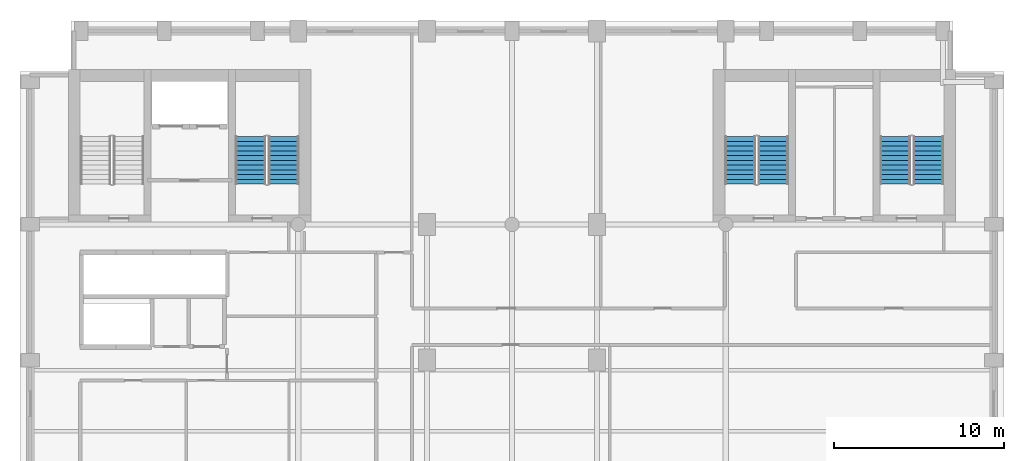
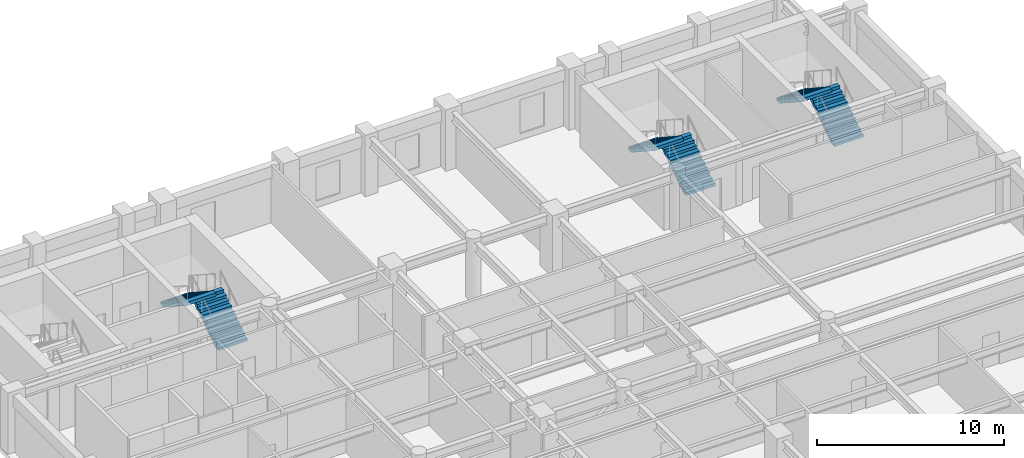
# One storey, part 10 of 13: 6 stair flights, 3 elements without a shape of their own.
"""IFC4 building model written with IfcOpenShell, lengths in metres."""

import ifcopenshell
import ifcopenshell.guid

model = None  # the IFC model being written
_history = None  # IfcOwnerHistory: only IFC2X3 demands one
_inside = {}  # id of a spatial element -> (the spatial element, [elements in it])
_under = {}  # id of a project, library or spatial element -> (it, [spatial elements below it])
_declared = {}  # id of a project -> (the project, [libraries it declares])
_typed = {}  # id of a type object -> (the type object, [elements of that type])
_made_of = {}  # id of a material, layer set ... -> (it, [elements and type objects made of it])


def new_model(schema):
    """Start an empty IFC model of exactly this schema.

    Asked for "IFC4X3", IfcOpenShell would pick the latest addendum, in which some entities
    have other attributes; the version numbers below select the first issue.
    IFC2X3 requires an IfcOwnerHistory on every rooted entity: one is made here for all.
    """
    global model, _history
    if schema == "IFC4X3":
        model = ifcopenshell.file(schema_version=(4, 3, 0, 0))
    else:
        model = ifcopenshell.file(schema=schema)
    _inside.clear()
    _under.clear()
    _declared.clear()
    _typed.clear()
    _made_of.clear()
    _history = None
    if model.schema == "IFC2X3":
        org = make("IfcOrganization", Name="unknown")
        user = make(
            "IfcPersonAndOrganization",
            ThePerson=make("IfcPerson", FamilyName="unknown"),
            TheOrganization=org,
        )
        app = make(
            "IfcApplication",
            ApplicationDeveloper=org,
            Version="unknown",
            ApplicationFullName="unknown",
            ApplicationIdentifier="unknown",
        )
        _history = make(
            "IfcOwnerHistory",
            OwningUser=user,
            OwningApplication=app,
            ChangeAction="ADDED",
            CreationDate=0,
        )
    return model


def make(cls, **values):
    """One entity of the class cls with the attributes given. An attribute that is None is left unset."""
    return model.create_entity(
        cls, **{name: value for name, value in values.items() if value is not None}
    )


def rooted(cls, **values):
    """An entity with a GlobalId (a new one), such as an element, a storey or a relation."""
    return make(cls, GlobalId=ifcopenshell.guid.new(), OwnerHistory=_history, **values)


def si_unit(unit_type, name, prefix=None):
    """IfcSIUnit, for example si_unit("LENGTHUNIT", "METRE", prefix="MILLI")."""
    return make("IfcSIUnit", UnitType=unit_type, Prefix=prefix, Name=name)


def assignment(units):
    """IfcUnitAssignment: the units of a project."""
    return None if units is None else make("IfcUnitAssignment", Units=units)


def point(xyz):
    """IfcCartesianPoint."""
    return None if xyz is None else make("IfcCartesianPoint", Coordinates=xyz)


def direction(xyz):
    """IfcDirection."""
    return None if xyz is None else make("IfcDirection", DirectionRatios=xyz)


def frame(location, z_axis=None, x_axis=None):
    """IfcAxis2Placement3D, a coordinate frame: its origin and axes. An axis left out is left unset."""
    return make(
        "IfcAxis2Placement3D",
        Location=point(location),
        Axis=direction(z_axis),
        RefDirection=direction(x_axis),
    )


def origin():
    """The frame at (0, 0, 0) with its axes left unset."""
    return frame((0.0, 0.0, 0.0))


def place(relative_to, where):
    """IfcLocalPlacement: puts the frame where relative to a parent placement (None: the world)."""
    return make(
        "IfcLocalPlacement", PlacementRelTo=relative_to, RelativePlacement=where
    )


def context(
    kind, dimensions, precision=None, world=None, true_north=None, identifier=None
):
    """IfcGeometricRepresentationContext, for example the 3D "Model" context."""
    return make(
        "IfcGeometricRepresentationContext",
        ContextIdentifier=identifier,
        ContextType=kind,
        CoordinateSpaceDimension=dimensions,
        Precision=precision,
        WorldCoordinateSystem=world,
        TrueNorth=true_north,
    )


def subcontext(parent, identifier, kind, view, scale=None):
    """IfcGeometricRepresentationSubContext, for example "Body" below "Model"."""
    return make(
        "IfcGeometricRepresentationSubContext",
        ContextIdentifier=identifier,
        ContextType=kind,
        ParentContext=parent,
        TargetScale=scale,
        TargetView=view,
    )


def project(units=None, contexts=None):
    """IfcProject with its units and contexts."""
    return rooted(
        "IfcProject",
        Name="project",
        RepresentationContexts=contexts,
        UnitsInContext=assignment(units),
    )


def spatial(cls, under=None, at=None, **own):
    """A site, building, storey or space (cls), placed at a placement, below another one or the project."""
    s = rooted(cls, ObjectPlacement=at, **own)
    if under is not None:
        _under.setdefault(under.id(), (under, []))[1].append(s)
    return s


def polyline(points):
    """IfcPolyline through the points."""
    return make("IfcPolyline", Points=[point(p) for p in points])


def outline(outer, holes=None, kind="AREA"):
    """IfcArbitraryClosedProfileDef: a profile drawn as a closed curve; with holes, ...WithVoids."""
    if holes is None:
        return make("IfcArbitraryClosedProfileDef", ProfileType=kind, OuterCurve=outer)
    return make(
        "IfcArbitraryProfileDefWithVoids",
        ProfileType=kind,
        OuterCurve=outer,
        InnerCurves=holes,
    )


def extrude(swept, where, along, depth):
    """IfcExtrudedAreaSolid: the profile swept, set in the frame where, extruded along a direction by depth."""
    return make(
        "IfcExtrudedAreaSolid",
        SweptArea=swept,
        Position=where,
        ExtrudedDirection=direction(along),
        Depth=depth,
    )


def shape(context_of_items, identifier, shape_type, items):
    """IfcShapeRepresentation: the items that make up one representation, for example the "Body"."""
    return make(
        "IfcShapeRepresentation",
        ContextOfItems=context_of_items,
        RepresentationIdentifier=identifier,
        RepresentationType=shape_type,
        Items=items,
    )


def material(Name=None, Category=None):
    """IfcMaterial."""
    return make("IfcMaterial", Name=Name, Category=Category)


def made_of(thing, what):
    """Note that an element or type object is made of a material, layer set ...; save() writes the relation."""
    if what is not None:
        _made_of.setdefault(what.id(), (what, []))[1].append(thing)
    return thing


def type_object(cls, material=None, **own):
    """A type object (cls), such as IfcWallType, which elements share."""
    return made_of(rooted(cls, **own), material)


def element(
    cls,
    number,
    at=None,
    inside=None,
    cuts=None,
    type_object=None,
    material=None,
    context=None,
    identifier="Body",
    shape_type=None,
    held_by="IfcProductDefinitionShape",
    body=None,
    shapes=None,
    **own,
):
    """One element of the class cls, such as IfcWall. Its Tag is "e" and its number.

    at: its placement. inside: the storey or other place that contains it. cuts: it is an
    opening in that element (IfcRelVoidsElement). A single representation is given by context,
    identifier, shape_type and body (its items); several are given by shapes. held_by: the class
    of the entity that holds the representations. save() writes the other relations.
    """
    e = rooted(cls, Tag="e%d" % number, ObjectPlacement=at, **own)
    if body is not None:
        shapes = [shape(context, identifier, shape_type, body)]
    if shapes is not None:
        e.Representation = make(held_by, Representations=shapes)
    if inside is not None:
        _inside.setdefault(inside.id(), (inside, []))[1].append(e)
    if cuts is not None:
        rooted(
            "IfcRelVoidsElement", RelatingBuildingElement=cuts, RelatedOpeningElement=e
        )
    if type_object is not None:
        _typed.setdefault(type_object.id(), (type_object, []))[1].append(e)
    return made_of(e, material)


def aggregate(whole, parts):
    """IfcRelAggregates: a whole, such as a stair, and the parts it consists of."""
    return rooted("IfcRelAggregates", RelatingObject=whole, RelatedObjects=parts)


def save(model, path):
    """Write the relations noted so far, then the file.

    IfcRelAggregates (storeys below a building ...), IfcRelContainedInSpatialStructure (elements
    in a storey), IfcRelDefinesByType, IfcRelAssociatesMaterial and IfcRelDeclares: one each for
    every whole, place, type object, material and project.
    """
    for whole, parts in _under.values():
        aggregate(whole, parts)
    for where, things in _inside.values():
        rooted(
            "IfcRelContainedInSpatialStructure",
            RelatedElements=things,
            RelatingStructure=where,
        )
    for kind, things in _typed.values():
        rooted("IfcRelDefinesByType", RelatedObjects=things, RelatingType=kind)
    for what, things in _made_of.values():
        rooted("IfcRelAssociatesMaterial", RelatedObjects=things, RelatingMaterial=what)
    for by, libraries in _declared.values():
        rooted("IfcRelDeclares", RelatingContext=by, RelatedDefinitions=libraries)
    model.write(path)


model = new_model("IFC4")

# Units and contexts
model_context = context("Model", 3, precision=1e-05, world=origin(), true_north=direction((0.0, 1.0)))
body_context = subcontext(model_context, "Body", "Model", "MODEL_VIEW")
ifc_project = project(units=[si_unit("LENGTHUNIT", "METRE"), si_unit("AREAUNIT", "SQUARE_METRE"), si_unit("VOLUMEUNIT", "CUBIC_METRE"), si_unit("PLANEANGLEUNIT", "RADIAN"), si_unit("MASSUNIT", "GRAM", prefix="KILO")], contexts=[model_context])

# Site, building, storey
site_placement = place(None, origin())
site = spatial("IfcSite", under=ifc_project, at=site_placement, CompositionType="ELEMENT")
building_placement = place(site_placement, origin())
building = spatial("IfcBuilding", under=site, at=building_placement, Name="Sulina Concourse Tower", CompositionType="ELEMENT")
storey_placement = place(building_placement, frame((0.0, 0.0, 202.60009765625)))
storey = spatial("IfcBuildingStorey", under=building, at=storey_placement, Name="L49", CompositionType="ELEMENT", Elevation=202.60009765625)

# Stair, stair flights
ifc_material_1 = material(Name="Concrete C50/60", Category="concrete")
stair_type_1 = type_object("IfcStairType", Name="Portal & Podium Core Exit Stair 1820mm", PredefinedType="HALF_TURN_STAIR", material=ifc_material_1)
stair_1_placement = place(storey_placement, origin())
stair_1 = element("IfcStair", 1, at=stair_1_placement, inside=storey, type_object=stair_type_1, Name="L49 ST-3", PredefinedType="HALF_TURN_STAIR")
ifc_material_2 = material(Name="Concrete C50/60", Category="concrete")
stair_flight_type_1 = type_object("IfcStairFlightType", Name="Portal & Podium Core Exit Stair 1820mm Flight", PredefinedType="STRAIGHT", material=ifc_material_2)
stair_flight_1_placement = place(storey_placement, frame((44.405029296875, 36.375, 0.0), z_axis=(0.0, 0.0, 1.0), x_axis=(0.0, 1.0, 0.0)))
stair_flight_1 = element("IfcStairFlight", 2, at=stair_flight_1_placement, type_object=stair_flight_type_1, Name="ST-3 flight 1", NumberOfRisers=11, NumberOfTreads=10, PredefinedType="STRAIGHT", RiserHeight=0.181818182, TreadLength=0.28, context=body_context, shape_type="SweptSolid", body=[
    extrude(outline(polyline([(0.0, 0.0), (0.0, 0.181884765625), (0.280029296875, 0.181884765625), (0.280029296875, 0.363525390625), (0.56005859375, 0.363525390625), (0.56005859375, 0.54541015625), (0.840087890625, 0.54541015625), (0.840087890625, 0.727294921875), (1.1201171875, 0.727294921875), (1.1201171875, 0.9091796875), (1.39990234375, 0.9091796875), (1.39990234375, 1.0908203125), (1.679931640625, 1.0908203125), (1.679931640625, 1.272705078125), (1.9599609375, 1.272705078125), (1.9599609375, 1.45458984375), (2.239990234375, 1.45458984375), (2.239990234375, 1.636474609375), (2.52001953125, 1.636474609375), (2.52001953125, 1.818115234375), (2.800048828125, 1.818115234375), (2.800048828125, 2.0), (2.800048828125, 1.603759765625), (0.330322265625, 0.0), (0.0, 0.0)])), frame((0.0, 0.89990234375, 0.0), z_axis=(0.0, -1.0, 0.0), x_axis=(1.0, 0.0, 0.0)), (0.0, 0.0, 1.0), 1.800048828125),
])
stair_flight_2_placement = place(storey_placement, frame((42.455078125, 39.175048828125, 2.0), z_axis=(0.0, 0.0, 1.0), x_axis=(0.0, -1.0, 0.0)))
stair_flight_2 = element("IfcStairFlight", 3, at=stair_flight_2_placement, type_object=stair_flight_type_1, Name="ST-3 flight 2", NumberOfRisers=11, NumberOfTreads=10, PredefinedType="STRAIGHT", RiserHeight=0.181818182, TreadLength=0.28, context=body_context, shape_type="SweptSolid", body=[
    extrude(outline(polyline([(0.0, 0.0), (0.0, 0.181884765625), (0.280029296875, 0.181884765625), (0.280029296875, 0.363525390625), (0.56005859375, 0.363525390625), (0.56005859375, 0.54541015625), (0.840087890625, 0.54541015625), (0.840087890625, 0.727294921875), (1.1201171875, 0.727294921875), (1.1201171875, 0.9091796875), (1.39990234375, 0.9091796875), (1.39990234375, 1.0908203125), (1.679931640625, 1.0908203125), (1.679931640625, 1.272705078125), (1.9599609375, 1.272705078125), (1.9599609375, 1.45458984375), (2.239990234375, 1.45458984375), (2.239990234375, 1.636474609375), (2.52001953125, 1.636474609375), (2.52001953125, 1.818115234375), (2.800048828125, 1.818115234375), (2.800048828125, 2.0), (2.800048828125, 1.603759765625), (0.330322265625, 0.0), (0.0, 0.0)])), frame((0.0, 0.89990234375, 0.0), z_axis=(0.0, -1.0, 0.0), x_axis=(1.0, 0.0, 0.0)), (0.0, 0.0, 1.0), 1.800048828125),
])
aggregate(stair_1, [stair_flight_1, stair_flight_2])

stair_2_placement = place(storey_placement, origin())
stair_2 = element("IfcStair", 4, at=stair_2_placement, inside=storey, type_object=stair_type_1, Name="L49 ST-4", PredefinedType="HALF_TURN_STAIR")
stair_flight_3_placement = place(storey_placement, frame((53.544921875, 36.375, 0.0), z_axis=(0.0, 0.0, 1.0), x_axis=(0.0, 1.0, 0.0)))
stair_flight_3 = element("IfcStairFlight", 5, at=stair_flight_3_placement, type_object=stair_flight_type_1, Name="ST-4 flight 1", NumberOfRisers=11, NumberOfTreads=10, PredefinedType="STRAIGHT", RiserHeight=0.181818182, TreadLength=0.28, context=body_context, shape_type="SweptSolid", body=[
    extrude(outline(polyline([(0.0, 0.0), (0.0, 0.181884765625), (0.280029296875, 0.181884765625), (0.280029296875, 0.363525390625), (0.56005859375, 0.363525390625), (0.56005859375, 0.54541015625), (0.840087890625, 0.54541015625), (0.840087890625, 0.727294921875), (1.1201171875, 0.727294921875), (1.1201171875, 0.9091796875), (1.39990234375, 0.9091796875), (1.39990234375, 1.0908203125), (1.679931640625, 1.0908203125), (1.679931640625, 1.272705078125), (1.9599609375, 1.272705078125), (1.9599609375, 1.45458984375), (2.239990234375, 1.45458984375), (2.239990234375, 1.636474609375), (2.52001953125, 1.636474609375), (2.52001953125, 1.818115234375), (2.800048828125, 1.818115234375), (2.800048828125, 2.0), (2.800048828125, 1.603759765625), (0.330322265625, 0.0), (0.0, 0.0)])), frame((0.0, 0.89990234375, 0.0), z_axis=(0.0, -1.0, 0.0), x_axis=(1.0, 0.0, 0.0)), (0.0, 0.0, 1.0), 1.800048828125),
])
stair_flight_4_placement = place(storey_placement, frame((51.594970703125, 39.175048828125, 2.0), z_axis=(0.0, 0.0, 1.0), x_axis=(0.0, -1.0, 0.0)))
stair_flight_4 = element("IfcStairFlight", 6, at=stair_flight_4_placement, type_object=stair_flight_type_1, Name="ST-4 flight 2", NumberOfRisers=11, NumberOfTreads=10, PredefinedType="STRAIGHT", RiserHeight=0.181818182, TreadLength=0.28, context=body_context, shape_type="SweptSolid", body=[
    extrude(outline(polyline([(0.0, 0.0), (0.0, 0.181884765625), (0.280029296875, 0.181884765625), (0.280029296875, 0.363525390625), (0.56005859375, 0.363525390625), (0.56005859375, 0.54541015625), (0.840087890625, 0.54541015625), (0.840087890625, 0.727294921875), (1.1201171875, 0.727294921875), (1.1201171875, 0.9091796875), (1.39990234375, 0.9091796875), (1.39990234375, 1.0908203125), (1.679931640625, 1.0908203125), (1.679931640625, 1.272705078125), (1.9599609375, 1.272705078125), (1.9599609375, 1.45458984375), (2.239990234375, 1.45458984375), (2.239990234375, 1.636474609375), (2.52001953125, 1.636474609375), (2.52001953125, 1.818115234375), (2.800048828125, 1.818115234375), (2.800048828125, 2.0), (2.800048828125, 1.603759765625), (0.330322265625, 0.0), (0.0, 0.0)])), frame((0.0, 0.89990234375, 0.0), z_axis=(0.0, -1.0, 0.0), x_axis=(1.0, 0.0, 0.0)), (0.0, 0.0, 1.0), 1.800048828125),
])
aggregate(stair_2, [stair_flight_3, stair_flight_4])

ifc_material_3 = material(Name="Concrete C50/60", Category="concrete")
stair_type_2 = type_object("IfcStairType", Name="Primary Core Dog-Leg Exit Stair 1800mm", PredefinedType="HALF_TURN_STAIR", material=ifc_material_3)
stair_3_placement = place(storey_placement, origin())
stair_3 = element("IfcStair", 7, at=stair_3_placement, inside=storey, type_object=stair_type_2, Name="L49 ST-2", PredefinedType="HALF_TURN_STAIR")
ifc_material_4 = material(Name="Concrete C50/60", Category="concrete")
stair_flight_type_2 = type_object("IfcStairFlightType", Name="Primary Core Dog-Leg Exit Stair 1800mm Flight", PredefinedType="STRAIGHT", material=ifc_material_4)
stair_flight_5_placement = place(storey_placement, frame((15.544921875, 36.375, 0.0), z_axis=(0.0, 0.0, 1.0), x_axis=(0.0, 1.0, 0.0)))
stair_flight_5 = element("IfcStairFlight", 8, at=stair_flight_5_placement, type_object=stair_flight_type_2, Name="ST-2 flight 1", NumberOfRisers=11, NumberOfTreads=10, PredefinedType="STRAIGHT", RiserHeight=0.181818182, TreadLength=0.28, context=body_context, shape_type="SweptSolid", body=[
    extrude(outline(polyline([(0.0, 0.0), (0.0, 0.181884765625), (0.280029296875, 0.181884765625), (0.280029296875, 0.363525390625), (0.56005859375, 0.363525390625), (0.56005859375, 0.54541015625), (0.840087890625, 0.54541015625), (0.840087890625, 0.727294921875), (1.1201171875, 0.727294921875), (1.1201171875, 0.9091796875), (1.39990234375, 0.9091796875), (1.39990234375, 1.0908203125), (1.679931640625, 1.0908203125), (1.679931640625, 1.272705078125), (1.9599609375, 1.272705078125), (1.9599609375, 1.45458984375), (2.239990234375, 1.45458984375), (2.239990234375, 1.636474609375), (2.52001953125, 1.636474609375), (2.52001953125, 1.818115234375), (2.800048828125, 1.818115234375), (2.800048828125, 2.0), (2.800048828125, 1.603759765625), (0.330322265625, 0.0), (0.0, 0.0)])), frame((0.0, 0.89990234375, 0.0), z_axis=(0.0, -1.0, 0.0), x_axis=(1.0, 0.0, 0.0)), (0.0, 0.0, 1.0), 1.800048828125),
])
stair_flight_6_placement = place(storey_placement, frame((13.594970703125, 39.175048828125, 2.0), z_axis=(0.0, 0.0, 1.0), x_axis=(0.0, -1.0, 0.0)))
stair_flight_6 = element("IfcStairFlight", 9, at=stair_flight_6_placement, type_object=stair_flight_type_2, Name="ST-2 flight 2", NumberOfRisers=11, NumberOfTreads=10, PredefinedType="STRAIGHT", RiserHeight=0.181818182, TreadLength=0.28, context=body_context, shape_type="SweptSolid", body=[
    extrude(outline(polyline([(0.0, 0.0), (0.0, 0.181884765625), (0.280029296875, 0.181884765625), (0.280029296875, 0.363525390625), (0.56005859375, 0.363525390625), (0.56005859375, 0.54541015625), (0.840087890625, 0.54541015625), (0.840087890625, 0.727294921875), (1.1201171875, 0.727294921875), (1.1201171875, 0.9091796875), (1.39990234375, 0.9091796875), (1.39990234375, 1.0908203125), (1.679931640625, 1.0908203125), (1.679931640625, 1.272705078125), (1.9599609375, 1.272705078125), (1.9599609375, 1.45458984375), (2.239990234375, 1.45458984375), (2.239990234375, 1.636474609375), (2.52001953125, 1.636474609375), (2.52001953125, 1.818115234375), (2.800048828125, 1.818115234375), (2.800048828125, 2.0), (2.800048828125, 1.603759765625), (0.330322265625, 0.0), (0.0, 0.0)])), frame((0.0, 0.89990234375, 0.0), z_axis=(0.0, -1.0, 0.0), x_axis=(1.0, 0.0, 0.0)), (0.0, 0.0, 1.0), 1.800048828125),
])
aggregate(stair_3, [stair_flight_5, stair_flight_6])

save(model, "model.ifc")
